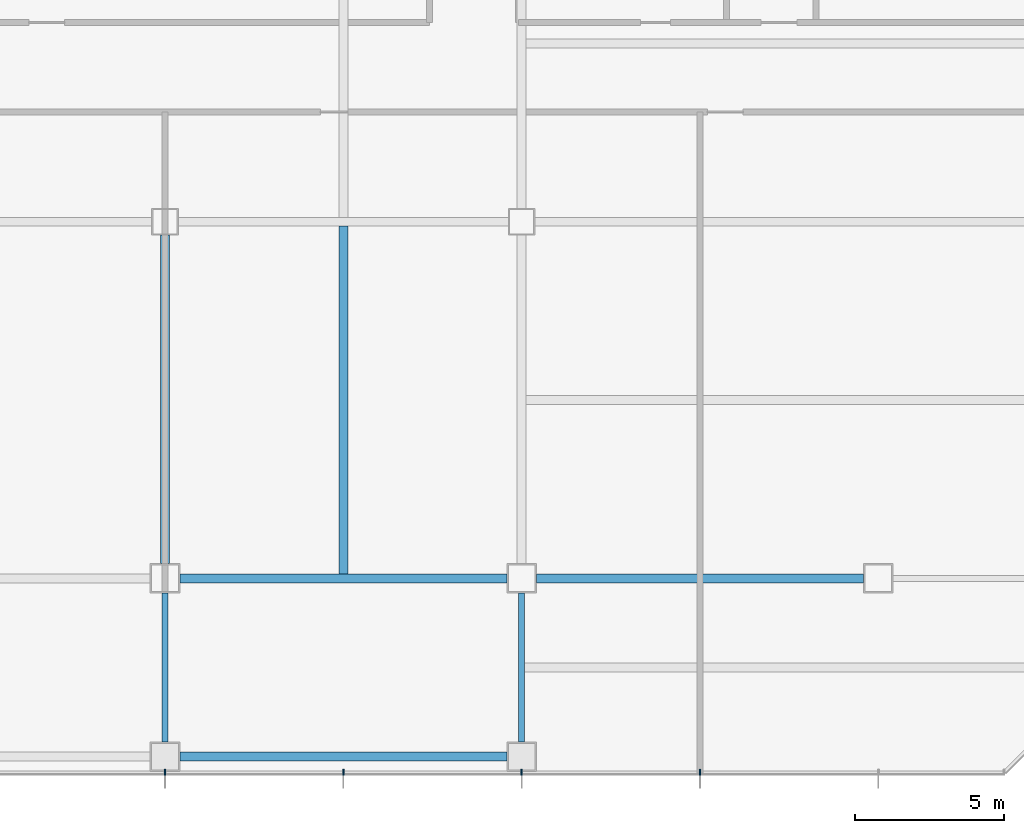
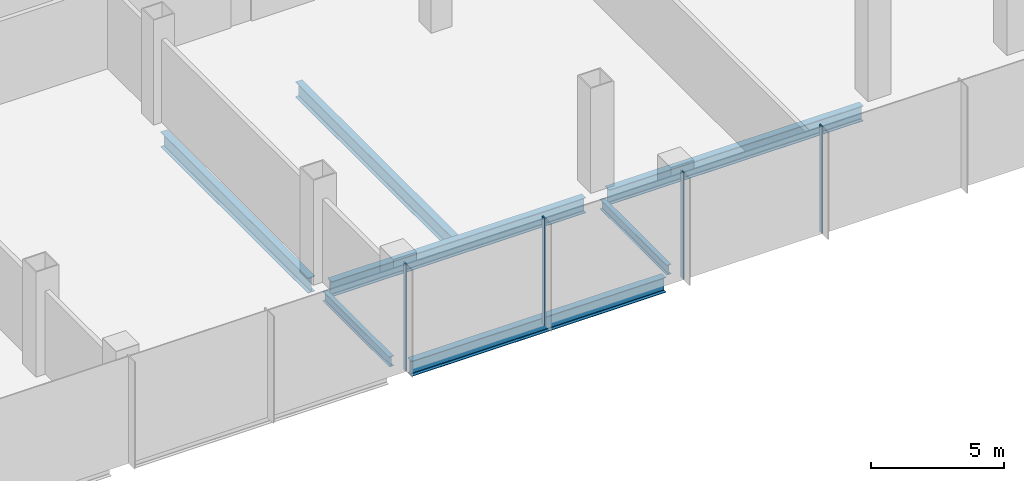
# One storey, part 8 of 34: 7 beams, 4 members, 1 element without a shape of its own.
"""IFC4 building model written with IfcOpenShell, lengths in metres."""

from ifc_helpers import new_model, si_unit, direction, frame, origin, origin_2d, place, context, subcontext, project, spatial, rectangle, i_section, extrude, material, material_profile, profile_set, type_object, element, aggregate, save


model = new_model("IFC4")

# Units and contexts
model_context = context("Model", 3, precision=1e-05, world=origin(), true_north=direction((0.0, 1.0)))
body_context = subcontext(model_context, "Body", "Model", "MODEL_VIEW")
ifc_project = project(units=[si_unit("LENGTHUNIT", "METRE"), si_unit("AREAUNIT", "SQUARE_METRE"), si_unit("VOLUMEUNIT", "CUBIC_METRE"), si_unit("PLANEANGLEUNIT", "RADIAN"), si_unit("MASSUNIT", "GRAM", prefix="KILO")], contexts=[model_context])

# Site, building, storey
site_placement = place(None, origin())
site = spatial("IfcSite", under=ifc_project, at=site_placement, CompositionType="ELEMENT")
building_placement = place(site_placement, origin())
building = spatial("IfcBuilding", under=site, at=building_placement, Name="Sorahane Residences", CompositionType="ELEMENT")
storey_placement = place(building_placement, frame((0.0, 0.0, 39.60009765625)))
storey = spatial("IfcBuildingStorey", under=building, at=storey_placement, Name="L06", CompositionType="ELEMENT", Elevation=39.60009765625)

# Curtain wall, members
ifc_material_1 = material(Name="Dark low-e glass and black anodised aluminium", Category="aluminium")
curtain_wall_type = type_object("IfcCurtainWallType", Name="Curtain wall CW-3 Podium unitised wall", PredefinedType="NOTDEFINED", material=ifc_material_1)
curtain_wall_placement = place(storey_placement, origin())
curtain_wall = element("IfcCurtainWall", 1, at=curtain_wall_placement, inside=storey, type_object=curtain_wall_type, Name="CW-3 curtain wall L06 S1", PredefinedType="NOTDEFINED")
ifc_material_2 = material(Name="Black anodised aluminium", Category="aluminium")
ifc_material_profile_1 = material_profile(ifc_material_2, rectangle(XDim=0.199951171875, YDim=0.050048828125, at=origin_2d()), Name="Curtain wall mullion CW-3 black anodised aluminium 50x200")
ifc_profile_set_1 = profile_set([ifc_material_profile_1], Name="Black anodised aluminium")
member_type = type_object("IfcMemberType", Name="Curtain wall mullion CW-3 black anodised aluminium 50x200", PredefinedType="MULLION", material=ifc_profile_set_1)
member_1_placement = place(storey_placement, frame((36.0, -6.52001953125, -0.400146484375), z_axis=(0.0, 0.0, 1.0), x_axis=(0.0, -1.0, 0.0)))
member_1 = element("IfcMember", 2, at=member_1_placement, type_object=member_type, Name="CW-3 mullion L06 S1.6", PredefinedType="MULLION", context=body_context, shape_type="SweptSolid", body=[
    extrude(rectangle(XDim=0.199951171875, YDim=0.050048828125, at=origin_2d()), origin(), (0.0, 0.0, 1.0), 4.900146484375),
])
member_2_placement = place(storey_placement, frame((42.0, -6.52001953125, -0.400146484375), z_axis=(0.0, 0.0, 1.0), x_axis=(0.0, -1.0, 0.0)))
member_2 = element("IfcMember", 3, at=member_2_placement, type_object=member_type, Name="CW-3 mullion L06 S1.7", PredefinedType="MULLION", context=body_context, shape_type="SweptSolid", body=[
    extrude(rectangle(XDim=0.199951171875, YDim=0.050048828125, at=origin_2d()), origin(), (0.0, 0.0, 1.0), 4.900146484375),
])
member_3_placement = place(storey_placement, frame((48.0, -6.52001953125, -0.400146484375), z_axis=(0.0, 0.0, 1.0), x_axis=(0.0, -1.0, 0.0)))
member_3 = element("IfcMember", 4, at=member_3_placement, type_object=member_type, Name="CW-3 mullion L06 S1.8", PredefinedType="MULLION", context=body_context, shape_type="SweptSolid", body=[
    extrude(rectangle(XDim=0.199951171875, YDim=0.050048828125, at=origin_2d()), origin(), (0.0, 0.0, 1.0), 4.900146484375),
])
member_4_placement = place(storey_placement, frame((54.0, -6.52001953125, -0.400146484375), z_axis=(0.0, 0.0, 1.0), x_axis=(0.0, -1.0, 0.0)))
member_4 = element("IfcMember", 5, at=member_4_placement, type_object=member_type, Name="CW-3 mullion L06 S1.9", PredefinedType="MULLION", context=body_context, shape_type="SweptSolid", body=[
    extrude(rectangle(XDim=0.199951171875, YDim=0.050048828125, at=origin_2d()), origin(), (0.0, 0.0, 1.0), 4.900146484375),
])
aggregate(curtain_wall, [member_1, member_2, member_3, member_4])

# Beams
ifc_material_3 = material(Name="Steel Q355B", Category="steel")
ifc_material_profile_2 = material_profile(ifc_material_3, i_section(OverallWidth=0.199951171875, OverallDepth=0.449951171875, WebThickness=0.009033203125, FlangeThickness=0.013916015625, FilletRadius=0.02001953125, at=origin_2d()), Name="HN 450x200x9x14")
ifc_profile_set_2 = profile_set([ifc_material_profile_2], Name="Steel Q355B")
beam_type_1 = type_object("IfcBeamType", Name="Steel floor beam HN 450x200x9x14 Q355B", PredefinedType="BEAM", material=ifc_profile_set_2)
for number, where, z_axis, x_axis, name in (
    (6, (36.0, -5.5, -0.625), (0.0, 1.0, 0.0), (-1.0, 0.0, 0.0), "Beam L06 053"),
    (7, (48.0, -5.5, -0.625), (0.0, 1.0, 0.0), (-1.0, 0.0, 0.0), "Beam L06 062"),
):
    element("IfcBeam", number, at=place(storey_placement, frame(where, z_axis=z_axis, x_axis=x_axis)), inside=storey, type_object=beam_type_1, Name=name, PredefinedType="BEAM", context=body_context, shape_type="SweptSolid", body=[
        extrude(i_section(OverallWidth=0.199951171875, OverallDepth=0.449951171875, WebThickness=0.009033203125, FlangeThickness=0.013916015625, FilletRadius=0.02001953125, at=origin_2d()), origin(), (0.0, 0.0, 1.0), 5.0),
    ])
ifc_material_4 = material(Name="Steel Q355B", Category="steel")
ifc_material_profile_3 = material_profile(ifc_material_4, i_section(OverallWidth=0.300048828125, OverallDepth=0.699951171875, WebThickness=0.012939453125, FlangeThickness=0.02392578125, FilletRadius=0.028076171875, at=origin_2d()), Name="HN 700x300x13x24")
ifc_profile_set_3 = profile_set([ifc_material_profile_3], Name="Steel Q355B")
beam_type_2 = type_object("IfcBeamType", Name="Steel floor beam HN 700x300x13x24 Q355B", PredefinedType="BEAM", material=ifc_profile_set_3)
for number, where, z_axis, x_axis, name in (
    (8, (36.5, 0.0, -0.75), (1.0, 0.0, 0.0), (0.0, 1.0, 0.0), "Beam L06 004"),
    (9, (48.5, 0.0, -0.75), (1.0, 0.0, 0.0), (0.0, 1.0, 0.0), "Beam L06 005"),
):
    element("IfcBeam", number, at=place(storey_placement, frame(where, z_axis=z_axis, x_axis=x_axis)), inside=storey, type_object=beam_type_2, Name=name, PredefinedType="BEAM", context=body_context, shape_type="SweptSolid", body=[
        extrude(i_section(OverallWidth=0.300048828125, OverallDepth=0.699951171875, WebThickness=0.012939453125, FlangeThickness=0.02392578125, FilletRadius=0.028076171875, at=origin_2d()), origin(), (0.0, 0.0, 1.0), 11.0),
    ])
beam_1_placement = place(storey_placement, frame((36.0, 0.5, -0.75), z_axis=(0.0, 1.0, 0.0), x_axis=(-1.0, 0.0, 0.0)))
element("IfcBeam", 10, at=beam_1_placement, inside=storey, type_object=beam_type_2, Name="Beam L06 054", PredefinedType="BEAM", context=body_context, shape_type="SweptSolid", body=[
    extrude(i_section(OverallWidth=0.300048828125, OverallDepth=0.699951171875, WebThickness=0.012939453125, FlangeThickness=0.02392578125, FilletRadius=0.028076171875, at=origin_2d()), origin(), (0.0, 0.0, 1.0), 11.050048828125),
])
beam_2_placement = place(storey_placement, frame((42.0, 0.14990234375, -0.75), z_axis=(0.0, 1.0, 0.0), x_axis=(-1.0, 0.0, 0.0)))
element("IfcBeam", 11, at=beam_2_placement, inside=storey, type_object=beam_type_2, Name="Beam L06 056", PredefinedType="BEAM", context=body_context, shape_type="SweptSolid", body=[
    extrude(i_section(OverallWidth=0.300048828125, OverallDepth=0.699951171875, WebThickness=0.012939453125, FlangeThickness=0.02392578125, FilletRadius=0.028076171875, at=origin_2d()), origin(), (0.0, 0.0, 1.0), 11.7001953125),
])
beam_3_placement = place(storey_placement, frame((36.5, -6.0, -0.75), z_axis=(1.0, 0.0, 0.0), x_axis=(0.0, 1.0, 0.0)))
element("IfcBeam", 12, at=beam_3_placement, inside=storey, type_object=beam_type_2, Name="Beam L06 081", PredefinedType="BEAM", context=body_context, shape_type="SweptSolid", body=[
    extrude(i_section(OverallWidth=0.300048828125, OverallDepth=0.699951171875, WebThickness=0.012939453125, FlangeThickness=0.02392578125, FilletRadius=0.028076171875, at=origin_2d()), origin(), (0.0, 0.0, 1.0), 11.0),
])

save(model, "model.ifc")
